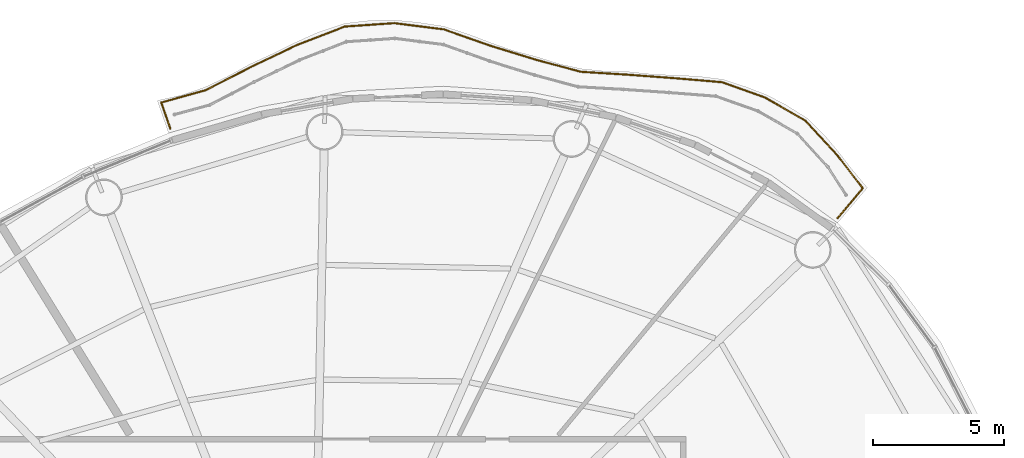
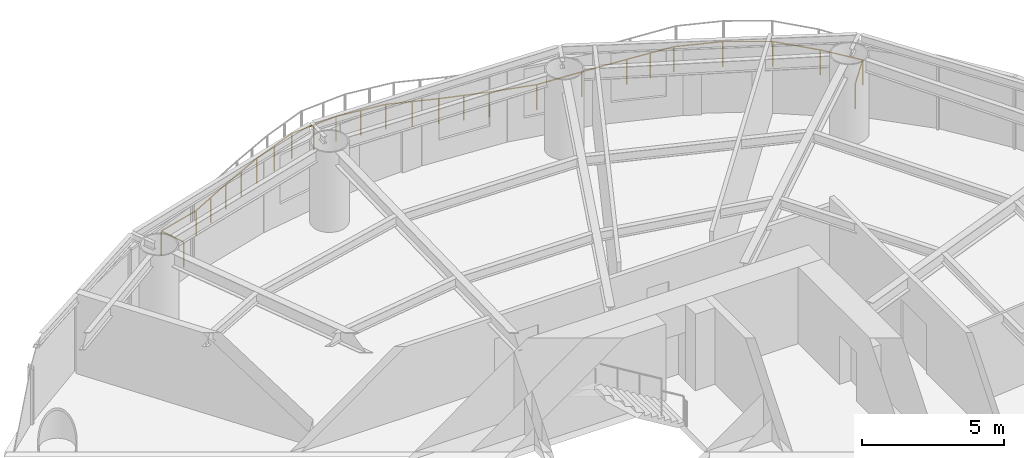
# One storey, part 15 of 15: 1 railing.
"""IFC4 building model written with IfcOpenShell, lengths in metres."""

from ifc_helpers import new_model, si_unit, direction, frame, origin, origin_2d, place, context, subcontext, project, spatial, circle, extrude, material, type_object, element, save


model = new_model("IFC4")

# Units and contexts
model_context = context("Model", 3, precision=1e-05, world=origin(), true_north=direction((0.0, 1.0)))
body_context = subcontext(model_context, "Body", "Model", "MODEL_VIEW")
ifc_project = project(units=[si_unit("LENGTHUNIT", "METRE"), si_unit("AREAUNIT", "SQUARE_METRE"), si_unit("VOLUMEUNIT", "CUBIC_METRE"), si_unit("PLANEANGLEUNIT", "RADIAN"), si_unit("MASSUNIT", "GRAM", prefix="KILO")], contexts=[model_context])

# Site, building, storey
site_placement = place(None, origin())
site = spatial("IfcSite", under=ifc_project, at=site_placement, CompositionType="ELEMENT")
building_placement = place(site_placement, origin())
building = spatial("IfcBuilding", under=site, at=building_placement, Name="Vermilion Reach Broadcast Tower", CompositionType="ELEMENT")
storey_placement = place(building_placement, frame((0.0, 0.0, 161.39990234375)))
storey = spatial("IfcBuildingStorey", under=building, at=storey_placement, Name="L38", CompositionType="ELEMENT", Elevation=161.39990234375)

# Railing
ifc_material = material(Name="Stainless steel 316 balustrade", Category="steel")
railing_type = type_object("IfcRailingType", Name="Balcony guard 1100", PredefinedType="BALUSTRADE", material=ifc_material)
railing_placement = place(storey_placement, frame((13.969482421875, 19.5126953125, 0.0)))
element("IfcRailing", 1, at=railing_placement, inside=storey, type_object=railing_type, Name="Balcony guard L38 group 1", PredefinedType="BALUSTRADE", context=body_context, shape_type="SweptSolid", body=[
    extrude(circle(Radius=0.02490234375, at=origin_2d()), frame((0.0, 0.0, 1.0751953125), z_axis=(0.646163272179, 0.763199204459, 0.0), x_axis=(-0.763199204459, 0.646163272179, 0.0)), (0.0, 0.0, 1.0), 1.4853515625),
    extrude(circle(Radius=0.02490234375, at=origin_2d()), frame((0.959716796875, 1.133544921875, 1.0751953125), z_axis=(-0.610119184963, 0.792309649152, 0.0), x_axis=(-0.792309649152, -0.610119184963, 0.0)), (0.0, 0.0, 1.0), 1.617431640625),
    extrude(circle(Radius=0.02490234375, at=origin_2d()), frame((-0.027099609375, 2.4150390625, 1.0751953125), z_axis=(-0.679189555233, 0.733962906462, 0.0), x_axis=(-0.733962906462, -0.679189555233, 0.0)), (0.0, 0.0, 1.0), 1.7607421875),
    extrude(circle(Radius=0.02490234375, at=origin_2d()), frame((-1.222900390625, 3.707275390625, 1.0751953125), z_axis=(-0.86723424398, 0.49790035757, 0.0), x_axis=(-0.49790035757, -0.86723424398, 0.0)), (0.0, 0.0, 1.0), 1.76025390625),
    extrude(circle(Radius=0.02490234375, at=origin_2d()), frame((-2.74951171875, 4.583740234375, 1.0751953125), z_axis=(-0.94188345137, 0.335939822044, 0.0), x_axis=(-0.335939822044, -0.94188345137, 0.0)), (0.0, 0.0, 1.0), 1.755126953125),
    extrude(circle(Radius=0.02490234375, at=origin_2d()), frame((-4.402587890625, 5.17333984375, 1.0751953125), z_axis=(-0.996449706351, 0.084190158051, 0.0), x_axis=(-0.084190158051, -0.996449706351, 0.0)), (0.0, 0.0, 1.0), 1.835693359375),
    extrude(circle(Radius=0.02490234375, at=origin_2d()), frame((-6.231689453125, 5.327880859375, 1.0751953125), z_axis=(-0.997248510982, 0.074131014728, 0.0), x_axis=(-0.074131014728, -0.997248510982, 0.0)), (0.0, 0.0, 1.0), 1.7685546875),
    extrude(circle(Radius=0.02490234375, at=origin_2d()), frame((-7.995361328125, 5.458984375, 1.0751953125), z_axis=(-0.998085211482, 0.061853945877, 0.0), x_axis=(-0.061853945877, -0.998085211482, 0.0)), (0.0, 0.0, 1.0), 1.768310546875),
    extrude(circle(Radius=0.02490234375, at=origin_2d()), frame((-9.76025390625, 5.568359375, 1.0751953125), z_axis=(-0.966432397132, 0.256921041906, 0.0), x_axis=(-0.256921041906, -0.966432397132, 0.0)), (0.0, 0.0, 1.0), 1.74169921875),
    extrude(circle(Radius=0.02490234375, at=origin_2d()), frame((-11.443603515625, 6.015869140625, 1.0751953125), z_axis=(-0.955980834518, 0.293429112452, 0.0), x_axis=(-0.293429112452, -0.955980834518, 0.0)), (0.0, 0.0, 1.0), 1.828857421875),
    extrude(circle(Radius=0.02490234375, at=origin_2d()), frame((-13.19189453125, 6.552490234375, 1.0751953125), z_axis=(-0.943222313458, 0.332162110114, 0.0), x_axis=(-0.332162110114, -0.943222313458, 0.0)), (0.0, 0.0, 1.0), 1.902099609375),
    extrude(circle(Radius=0.02490234375, at=origin_2d()), frame((-14.986083984375, 7.184326171875, 1.0751953125), z_axis=(-0.992297592925, 0.123876902916, 0.0), x_axis=(-0.123876902916, -0.992297592925, 0.0)), (0.0, 0.0, 1.0), 1.90380859375),
    extrude(circle(Radius=0.02490234375, at=origin_2d()), frame((-16.875244140625, 7.420166015625, 1.0751953125), z_axis=(-0.997627877726, -0.068837617503, 0.0), x_axis=(0.068837617503, -0.997627877726, 0.0)), (0.0, 0.0, 1.0), 1.88671875),
    extrude(circle(Radius=0.02490234375, at=origin_2d()), frame((-18.757568359375, 7.290283203125, 1.0751953125), z_axis=(-0.932473439538, -0.361238542456, 0.0), x_axis=(0.361238542456, -0.932473439538, 0.0)), (0.0, 0.0, 1.0), 1.961181640625),
    extrude(circle(Radius=0.02490234375, at=origin_2d()), frame((-20.58642578125, 6.581787109375, 1.0751953125), z_axis=(-0.902511073451, -0.430666648696, 0.0), x_axis=(0.430666648696, -0.902511073451, 0.0)), (0.0, 0.0, 1.0), 1.938720703125),
    extrude(circle(Radius=0.02490234375, at=origin_2d()), frame((-22.336181640625, 5.746826171875, 1.0751953125), z_axis=(-0.889901782564, -0.456152186654, 0.0), x_axis=(0.456152186654, -0.889901782564, 0.0)), (0.0, 0.0, 1.0), 1.928955078125),
    extrude(circle(Radius=0.02490234375, at=origin_2d()), frame((-24.052734375, 4.866943359375, 1.0751953125), z_axis=(-0.963511920714, -0.267665422949, 0.0), x_axis=(0.267665422949, -0.963511920714, 0.0)), (0.0, 0.0, 1.0), 1.752197265625),
    extrude(circle(Radius=0.02490234375, at=origin_2d()), frame((-25.740966796875, 4.39794921875, 1.0751953125), z_axis=(0.330069472011, -0.943956642885, 0.0), x_axis=(0.943956642885, 0.330069472011, 0.0)), (0.0, 0.0, 1.0), 1.045166015625),
    extrude(circle(Radius=0.02490234375, at=origin_2d()), origin(), (0.0, 0.0, 1.0), 1.050048828125),
    extrude(circle(Radius=0.02490234375, at=origin_2d()), frame((0.959716796875, 1.133544921875, 0.0)), (0.0, 0.0, 1.0), 1.050048828125),
    extrude(circle(Radius=0.02490234375, at=origin_2d()), frame((-0.027099609375, 2.4150390625, 0.0)), (0.0, 0.0, 1.0), 1.050048828125),
    extrude(circle(Radius=0.02490234375, at=origin_2d()), frame((-1.222900390625, 3.707275390625, 0.0)), (0.0, 0.0, 1.0), 1.050048828125),
    extrude(circle(Radius=0.02490234375, at=origin_2d()), frame((-2.74951171875, 4.583740234375, 0.0)), (0.0, 0.0, 1.0), 1.050048828125),
    extrude(circle(Radius=0.02490234375, at=origin_2d()), frame((-4.402587890625, 5.17333984375, 0.0)), (0.0, 0.0, 1.0), 1.050048828125),
    extrude(circle(Radius=0.02490234375, at=origin_2d()), frame((-5.317138671875, 5.25048828125, 0.0)), (0.0, 0.0, 1.0), 1.050048828125),
    extrude(circle(Radius=0.02490234375, at=origin_2d()), frame((-6.231689453125, 5.327880859375, 0.0)), (0.0, 0.0, 1.0), 1.050048828125),
    extrude(circle(Radius=0.02490234375, at=origin_2d()), frame((-7.995361328125, 5.458984375, 0.0)), (0.0, 0.0, 1.0), 1.050048828125),
    extrude(circle(Radius=0.02490234375, at=origin_2d()), frame((-9.76025390625, 5.568359375, 0.0)), (0.0, 0.0, 1.0), 1.050048828125),
    extrude(circle(Radius=0.02490234375, at=origin_2d()), frame((-11.443603515625, 6.015869140625, 0.0)), (0.0, 0.0, 1.0), 1.050048828125),
    extrude(circle(Radius=0.02490234375, at=origin_2d()), frame((-12.31787109375, 6.2841796875, 0.0)), (0.0, 0.0, 1.0), 1.050048828125),
    extrude(circle(Radius=0.02490234375, at=origin_2d()), frame((-13.19189453125, 6.552490234375, 0.0)), (0.0, 0.0, 1.0), 1.050048828125),
    extrude(circle(Radius=0.02490234375, at=origin_2d()), frame((-14.0888671875, 6.868408203125, 0.0)), (0.0, 0.0, 1.0), 1.050048828125),
    extrude(circle(Radius=0.02490234375, at=origin_2d()), frame((-14.986083984375, 7.184326171875, 0.0)), (0.0, 0.0, 1.0), 1.050048828125),
    extrude(circle(Radius=0.02490234375, at=origin_2d()), frame((-15.9306640625, 7.30224609375, 0.0)), (0.0, 0.0, 1.0), 1.050048828125),
    extrude(circle(Radius=0.02490234375, at=origin_2d()), frame((-16.875244140625, 7.420166015625, 0.0)), (0.0, 0.0, 1.0), 1.050048828125),
    extrude(circle(Radius=0.02490234375, at=origin_2d()), frame((-17.81640625, 7.355224609375, 0.0)), (0.0, 0.0, 1.0), 1.050048828125),
    extrude(circle(Radius=0.02490234375, at=origin_2d()), frame((-18.757568359375, 7.290283203125, 0.0)), (0.0, 0.0, 1.0), 1.050048828125),
    extrude(circle(Radius=0.02490234375, at=origin_2d()), frame((-19.671875, 6.93603515625, 0.0)), (0.0, 0.0, 1.0), 1.050048828125),
    extrude(circle(Radius=0.02490234375, at=origin_2d()), frame((-20.58642578125, 6.581787109375, 0.0)), (0.0, 0.0, 1.0), 1.050048828125),
    extrude(circle(Radius=0.02490234375, at=origin_2d()), frame((-21.46142578125, 6.164306640625, 0.0)), (0.0, 0.0, 1.0), 1.050048828125),
    extrude(circle(Radius=0.02490234375, at=origin_2d()), frame((-22.336181640625, 5.746826171875, 0.0)), (0.0, 0.0, 1.0), 1.050048828125),
    extrude(circle(Radius=0.02490234375, at=origin_2d()), frame((-23.1943359375, 5.306884765625, 0.0)), (0.0, 0.0, 1.0), 1.050048828125),
    extrude(circle(Radius=0.02490234375, at=origin_2d()), frame((-24.052734375, 4.866943359375, 0.0)), (0.0, 0.0, 1.0), 1.050048828125),
    extrude(circle(Radius=0.02490234375, at=origin_2d()), frame((-25.740966796875, 4.39794921875, 0.0)), (0.0, 0.0, 1.0), 1.050048828125),
    extrude(circle(Radius=0.02490234375, at=origin_2d()), frame((-25.39599609375, 3.411376953125, 0.0)), (0.0, 0.0, 1.0), 1.050048828125),
])

save(model, "model.ifc")
